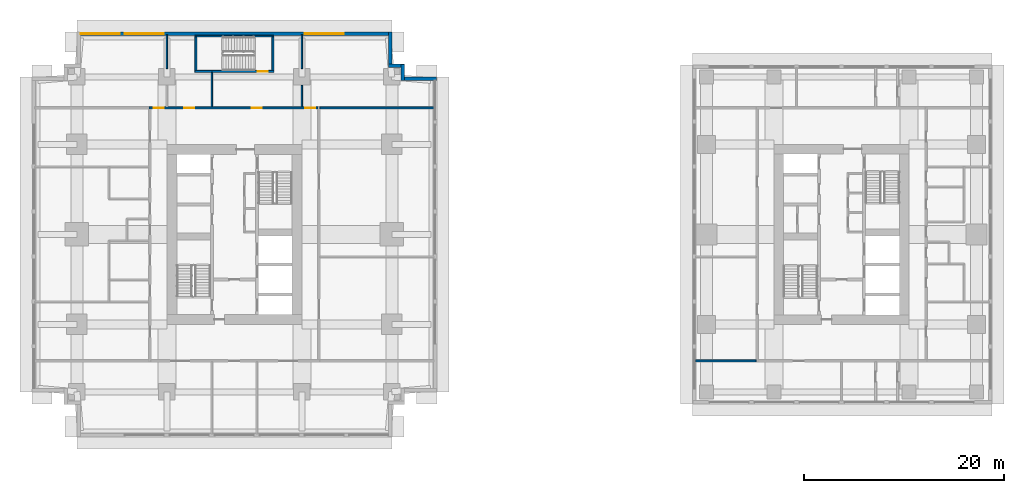
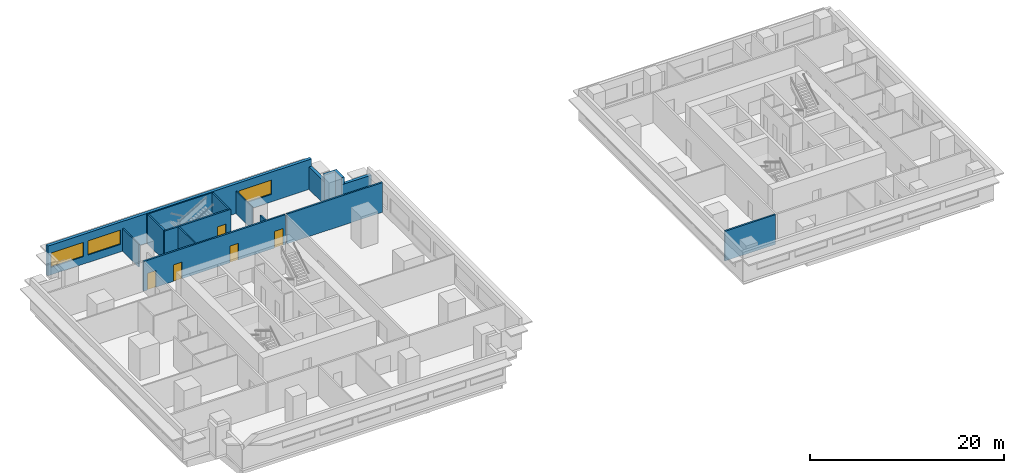
# One storey, part 5 of 11: 16 walls, 5 doors, 3 windows, 8 openings.
"""IFC4 building model written with IfcOpenShell, lengths in metres."""

from ifc_helpers import new_model, si_unit, direction, frame, frame_2d, origin, place, context, subcontext, project, spatial, rectangle, extrude, material, layer, layer_set, type_object, element, fill, save


model = new_model("IFC4")

# Units and contexts
model_context = context("Model", 3, precision=1e-05, world=origin(), true_north=direction((0.0, 1.0)))
body_context = subcontext(model_context, "Body", "Model", "MODEL_VIEW")
ifc_project = project(units=[si_unit("LENGTHUNIT", "METRE"), si_unit("AREAUNIT", "SQUARE_METRE"), si_unit("VOLUMEUNIT", "CUBIC_METRE"), si_unit("PLANEANGLEUNIT", "RADIAN"), si_unit("MASSUNIT", "GRAM", prefix="KILO")], contexts=[model_context])

# Site, building, storey
site_placement = place(None, origin())
site = spatial("IfcSite", under=ifc_project, at=site_placement, CompositionType="ELEMENT")
building_placement = place(site_placement, origin())
building = spatial("IfcBuilding", under=site, at=building_placement, Name="Namib Vertical Campus", CompositionType="ELEMENT")
storey_placement = place(building_placement, frame((0.0, 0.0, 197.0)))
storey = spatial("IfcBuildingStorey", under=building, at=storey_placement, Name="L46", CompositionType="ELEMENT", Elevation=197.0)

# Wall, openings, doors
ifc_material_1 = material(Name="Concrete masonry", Category="masonry")
ifc_layer_1 = layer(ifc_material_1, 0.199951171875)
ifc_layer_set_1 = layer_set([ifc_layer_1], Name="Corridor wall 200")
wall_type_1 = type_object("IfcWallType", Name="Corridor wall 200", PredefinedType="SOLIDWALL", material=ifc_layer_set_1)
wall_1_placement = place(storey_placement, frame((28.60009765625, 32.89990234375, 0.0), z_axis=(0.0, 0.0, 1.0), x_axis=(-1.0, 0.0, 0.0)))
wall_1 = element("IfcWall", 1, at=wall_1_placement, inside=storey, type_object=wall_type_1, Name="Corridor wall A L46 CN", PredefinedType="SOLIDWALL", context=body_context, shape_type="SweptSolid", body=[
    extrude(rectangle(XDim=16.900146484375, YDim=0.199951171875, at=frame_2d((8.4501953125, 0.0))), origin(), (0.0, 0.0, 1.0), 3.75),
])
opening_1_placement = place(wall_1_placement, frame((15.425048828125, 0.0, 0.0)))
opening_1 = element("IfcOpeningElement", 2, at=opening_1_placement, cuts=wall_1, Name="Opening CD1", PredefinedType="OPENING", context=body_context, shape_type="SweptSolid", body=[
    extrude(rectangle(XDim=1.0, YDim=2.10009765625, at=frame_2d((0.5, 1.050048828125))), frame((0.0, 0.10986328125, 0.0), z_axis=(0.0, -1.0, 0.0), x_axis=(1.0, 0.0, 0.0)), (0.0, 0.0, 1.0), 0.219970703125),
])
opening_2_placement = place(wall_1_placement, frame((12.35009765625, 0.0, 0.0)))
opening_2 = element("IfcOpeningElement", 3, at=opening_2_placement, cuts=wall_1, Name="Opening CD1", PredefinedType="OPENING", context=body_context, shape_type="SweptSolid", body=[
    extrude(rectangle(XDim=1.0, YDim=2.10009765625, at=frame_2d((0.5, 1.050048828125))), frame((0.0, 0.10986328125, 0.0), z_axis=(0.0, -1.0, 0.0), x_axis=(1.0, 0.0, 0.0)), (0.0, 0.0, 1.0), 0.219970703125),
])
opening_3_placement = place(wall_1_placement, frame((5.60009765625, 0.0, 0.0)))
opening_3 = element("IfcOpeningElement", 4, at=opening_3_placement, cuts=wall_1, Name="Opening CD1", PredefinedType="OPENING", context=body_context, shape_type="SweptSolid", body=[
    extrude(rectangle(XDim=1.0, YDim=2.10009765625, at=frame_2d((0.5, 1.050048828125))), frame((0.0, 0.10986328125, 0.0), z_axis=(0.0, -1.0, 0.0), x_axis=(1.0, 0.0, 0.0)), (0.0, 0.0, 1.0), 0.219970703125),
])
opening_4_placement = place(wall_1_placement, frame((0.27490234375, 0.0, 0.0)))
opening_4 = element("IfcOpeningElement", 5, at=opening_4_placement, cuts=wall_1, Name="Opening CD1", PredefinedType="OPENING", context=body_context, shape_type="SweptSolid", body=[
    extrude(rectangle(XDim=1.0, YDim=2.10009765625, at=frame_2d((0.5, 1.050048828125))), frame((0.0, 0.10986328125, 0.0), z_axis=(0.0, -1.0, 0.0), x_axis=(1.0, 0.0, 0.0)), (0.0, 0.0, 1.0), 0.219970703125),
])
ifc_material_2 = material(Name="Timber fire door leaf", Category="wood")
door_type_1 = type_object("IfcDoorType", Name="Corridor door 1000x2100 20 min", OperationType="SINGLE_SWING_LEFT", PredefinedType="DOOR", material=ifc_material_2)
door_1_placement = place(opening_1_placement, frame((1.0, 0.0, 0.0), z_axis=(0.0, 0.0, 1.0), x_axis=(-1.0, 0.0, 0.0)))
door_1 = element("IfcDoor", 6, at=door_1_placement, inside=storey, type_object=door_type_1, Name="Door CD1 A46-06", OperationType="SINGLE_SWING_RIGHT", OverallHeight=2.10009765625, OverallWidth=1.0, PredefinedType="DOOR", context=body_context, shape_type="SweptSolid", body=[
    extrude(rectangle(XDim=1.0, YDim=2.10009765625, at=frame_2d((0.5, 1.050048828125))), frame((0.0, 0.02490234375, 0.0), z_axis=(0.0, -1.0, 0.0), x_axis=(1.0, 0.0, 0.0)), (0.0, 0.0, 1.0), 0.050048828125),
])
fill(opening_1, door_1)
door_2_placement = place(opening_2_placement, frame((1.0, 0.0, 0.0), z_axis=(0.0, 0.0, 1.0), x_axis=(-1.0, 0.0, 0.0)))
door_2 = element("IfcDoor", 7, at=door_2_placement, inside=storey, type_object=door_type_1, Name="Door CD1 A46-07", OperationType="SINGLE_SWING_RIGHT", OverallHeight=2.10009765625, OverallWidth=1.0, PredefinedType="DOOR", context=body_context, shape_type="SweptSolid", body=[
    extrude(rectangle(XDim=1.0, YDim=2.10009765625, at=frame_2d((0.5, 1.050048828125))), frame((0.0, 0.02490234375, 0.0), z_axis=(0.0, -1.0, 0.0), x_axis=(1.0, 0.0, 0.0)), (0.0, 0.0, 1.0), 0.050048828125),
])
fill(opening_2, door_2)
door_3_placement = place(opening_3_placement, frame((1.0, 0.0, 0.0), z_axis=(0.0, 0.0, 1.0), x_axis=(-1.0, 0.0, 0.0)))
door_3 = element("IfcDoor", 8, at=door_3_placement, inside=storey, type_object=door_type_1, Name="Door CD1 A46-08", OperationType="SINGLE_SWING_RIGHT", OverallHeight=2.10009765625, OverallWidth=1.0, PredefinedType="DOOR", context=body_context, shape_type="SweptSolid", body=[
    extrude(rectangle(XDim=1.0, YDim=2.10009765625, at=frame_2d((0.5, 1.050048828125))), frame((0.0, 0.02490234375, 0.0), z_axis=(0.0, -1.0, 0.0), x_axis=(1.0, 0.0, 0.0)), (0.0, 0.0, 1.0), 0.050048828125),
])
fill(opening_3, door_3)
door_4_placement = place(opening_4_placement, frame((1.0, 0.0, 0.0), z_axis=(0.0, 0.0, 1.0), x_axis=(-1.0, 0.0, 0.0)))
door_4 = element("IfcDoor", 9, at=door_4_placement, inside=storey, type_object=door_type_1, Name="Door CD1 A46-09", OperationType="SINGLE_SWING_LEFT", OverallHeight=2.10009765625, OverallWidth=1.0, PredefinedType="DOOR", context=body_context, shape_type="SweptSolid", body=[
    extrude(rectangle(XDim=1.0, YDim=2.10009765625, at=frame_2d((0.5, 1.050048828125))), frame((0.0, 0.02490234375, 0.0), z_axis=(0.0, -1.0, 0.0), x_axis=(1.0, 0.0, 0.0)), (0.0, 0.0, 1.0), 0.050048828125),
])
fill(opening_4, door_4)

# Walls
wall_2_placement = place(storey_placement, frame((28.800048828125, 32.89990234375, 0.0), z_axis=(0.0, 0.0, 1.0), x_axis=(1.0, 0.0, 0.0)))
element("IfcWall", 10, at=wall_2_placement, inside=storey, type_object=wall_type_1, Name="Partition A L46 BNE", PredefinedType="SOLIDWALL", context=body_context, shape_type="SweptSolid", body=[
    extrude(rectangle(XDim=11.39990234375, YDim=0.199951171875, at=frame_2d((5.699951171875, 0.0))), origin(), (0.0, 0.0, 1.0), 3.75),
])
wall_3_placement = place(storey_placement, frame((66.39990234375, 7.60009765625, 0.0), z_axis=(0.0, 0.0, 1.0), x_axis=(1.0, 0.0, 0.0)))
element("IfcWall", 11, at=wall_3_placement, inside=storey, type_object=wall_type_1, Name="Partition B L46 BSW", PredefinedType="SOLIDWALL", context=body_context, shape_type="SweptSolid", body=[
    extrude(rectangle(XDim=6.050048828125, YDim=0.199951171875, at=frame_2d((3.02490234375, 0.0))), origin(), (0.0, 0.0, 1.0), 3.75),
])
ifc_material_3 = material(Name="Concrete C40/50", Category="concrete")
ifc_layer_2 = layer(ifc_material_3, 0.35009765625)
ifc_layer_set_2 = layer_set([ifc_layer_2], Name="Concrete C40/50")
wall_type_2 = type_object("IfcWallType", Name="External wall 350 bush-hammered concrete", PredefinedType="STANDARD", material=ifc_layer_set_2)
wall_4_placement = place(storey_placement, frame((40.47998046875, 35.824951171875, 0.0), z_axis=(0.0, 0.0, 1.0), x_axis=(-1.0, 0.0, 0.0)))
element("IfcWall", 12, at=wall_4_placement, inside=storey, type_object=wall_type_2, Name="External wall L46 F07", PredefinedType="STANDARD", context=body_context, shape_type="SweptSolid", body=[
    extrude(rectangle(XDim=3.534912109375, YDim=0.35009765625, at=frame_2d((1.767578125, 0.0))), origin(), (0.0, 0.0, 1.0), 2.85009765625),
])
for number, where, z_axis, x_axis, name in (
    (13, (37.10009765625, 35.669921875, 0.0), (0.0, 0.0, 1.0), (0.0, 1.0, 0.0), "External wall L46 F08"),
    (14, (37.2548828125, 37.10009765625, 0.0), (0.0, 0.0, 1.0), (-1.0, 0.0, 0.0), "External wall L46 F09"),
):
    element("IfcWall", number, at=place(storey_placement, frame(where, z_axis=z_axis, x_axis=x_axis)), inside=storey, type_object=wall_type_2, Name=name, PredefinedType="STANDARD", context=body_context, shape_type="SweptSolid", body=[
        extrude(rectangle(XDim=1.5849609375, YDim=0.35009765625, at=frame_2d((0.79248046875, 0.0))), origin(), (0.0, 0.0, 1.0), 3.75),
    ])
wall_5_placement = place(storey_placement, frame((35.824951171875, 36.945068359375, 0.0), z_axis=(0.0, 0.0, 1.0), x_axis=(0.0, 1.0, 0.0)))
element("IfcWall", 15, at=wall_5_placement, inside=storey, type_object=wall_type_2, Name="External wall L46 F10", PredefinedType="STANDARD", context=body_context, shape_type="SweptSolid", body=[
    extrude(rectangle(XDim=3.534912109375, YDim=0.35009765625, at=frame_2d((1.767578125, 0.0))), origin(), (0.0, 0.0, 1.0), 2.85009765625),
])

# Wall, openings, windows
wall_6_placement = place(storey_placement, frame((35.97998046875, 40.324951171875, 0.0), z_axis=(0.0, 0.0, 1.0), x_axis=(-1.0, 0.0, 0.0)))
wall_6 = element("IfcWall", 16, at=wall_6_placement, inside=storey, type_object=wall_type_2, Name="External wall L46 F11", PredefinedType="STANDARD", context=body_context, shape_type="SweptSolid", body=[
    extrude(rectangle(XDim=31.4599609375, YDim=0.35009765625, at=frame_2d((15.72998046875, 0.0))), origin(), (0.0, 0.0, 1.0), 3.75),
])
opening_5_placement = place(wall_6_placement, frame((27.2099609375, 0.0, 0.949951171875)))
opening_5 = element("IfcOpeningElement", 17, at=opening_5_placement, cuts=wall_6, Name="Opening W3", PredefinedType="OPENING", context=body_context, shape_type="SweptSolid", body=[
    extrude(rectangle(XDim=3.89990234375, YDim=1.800048828125, at=frame_2d((1.949951171875, 0.89990234375))), frame((0.0, 0.18505859375, 0.0), z_axis=(0.0, -1.0, 0.0), x_axis=(1.0, 0.0, 0.0)), (0.0, 0.0, 1.0), 0.3701171875),
])
opening_6_placement = place(wall_6_placement, frame((22.780029296875, 0.0, 0.949951171875)))
opening_6 = element("IfcOpeningElement", 18, at=opening_6_placement, cuts=wall_6, Name="Opening W3", PredefinedType="OPENING", context=body_context, shape_type="SweptSolid", body=[
    extrude(rectangle(XDim=3.89990234375, YDim=1.800048828125, at=frame_2d((1.949951171875, 0.89990234375))), frame((0.0, 0.18505859375, 0.0), z_axis=(0.0, -1.0, 0.0), x_axis=(1.0, 0.0, 0.0)), (0.0, 0.0, 1.0), 0.3701171875),
])
opening_7_placement = place(wall_6_placement, frame((4.780029296875, 0.0, 0.949951171875)))
opening_7 = element("IfcOpeningElement", 19, at=opening_7_placement, cuts=wall_6, Name="Opening W3", PredefinedType="OPENING", context=body_context, shape_type="SweptSolid", body=[
    extrude(rectangle(XDim=3.89990234375, YDim=1.800048828125, at=frame_2d((1.949951171875, 0.89990234375))), frame((0.0, 0.18505859375, 0.0), z_axis=(0.0, -1.0, 0.0), x_axis=(1.0, 0.0, 0.0)), (0.0, 0.0, 1.0), 0.3701171875),
])
ifc_material_4 = material(Name="Dark tinted glass in black aluminium frame", Category="aluminium")
window_type = type_object("IfcWindowType", Name="Ribbon window 3900x1800", PartitioningType="SINGLE_PANEL", PredefinedType="WINDOW", material=ifc_material_4)
window_1_placement = place(opening_5_placement, origin())
window_1 = element("IfcWindow", 20, at=window_1_placement, inside=storey, type_object=window_type, Name="Window W3 L46 F11-1", OverallHeight=1.800048828125, OverallWidth=3.89990234375, PartitioningType="SINGLE_PANEL", PredefinedType="WINDOW", context=body_context, shape_type="SweptSolid", body=[
    extrude(rectangle(XDim=3.89990234375, YDim=1.800048828125, at=frame_2d((1.949951171875, 0.89990234375))), frame((0.0, 0.030029296875, 0.0), z_axis=(0.0, -1.0, 0.0), x_axis=(1.0, 0.0, 0.0)), (0.0, 0.0, 1.0), 0.06005859375),
])
fill(opening_5, window_1)
window_2_placement = place(opening_6_placement, origin())
window_2 = element("IfcWindow", 21, at=window_2_placement, inside=storey, type_object=window_type, Name="Window W3 L46 F11-2", OverallHeight=1.800048828125, OverallWidth=3.89990234375, PartitioningType="SINGLE_PANEL", PredefinedType="WINDOW", context=body_context, shape_type="SweptSolid", body=[
    extrude(rectangle(XDim=3.89990234375, YDim=1.800048828125, at=frame_2d((1.949951171875, 0.89990234375))), frame((0.0, 0.030029296875, 0.0), z_axis=(0.0, -1.0, 0.0), x_axis=(1.0, 0.0, 0.0)), (0.0, 0.0, 1.0), 0.06005859375),
])
fill(opening_6, window_2)
window_3_placement = place(opening_7_placement, origin())
window_3 = element("IfcWindow", 22, at=window_3_placement, inside=storey, type_object=window_type, Name="Window W3 L46 F11-6", OverallHeight=1.800048828125, OverallWidth=3.89990234375, PartitioningType="SINGLE_PANEL", PredefinedType="WINDOW", context=body_context, shape_type="SweptSolid", body=[
    extrude(rectangle(XDim=3.89990234375, YDim=1.800048828125, at=frame_2d((1.949951171875, 0.89990234375))), frame((0.0, 0.030029296875, 0.0), z_axis=(0.0, -1.0, 0.0), x_axis=(1.0, 0.0, 0.0)), (0.0, 0.0, 1.0), 0.06005859375),
])
fill(opening_7, window_3)

# Walls
ifc_material_5 = material(Name="Gypsum board on steel studs", Category="steel")
ifc_layer_3 = layer(ifc_material_5, 0.14990234375)
ifc_layer_set_3 = layer_set([ifc_layer_3], Name="Gypsum board on steel studs")
wall_type_3 = type_object("IfcWallType", Name="Partition 150", PredefinedType="PARTITIONING", material=ifc_layer_set_3)
wall_7_placement = place(storey_placement, frame((13.5, 36.844970703125, 0.0), z_axis=(0.0, 0.0, 1.0), x_axis=(0.0, 1.0, 0.0)))
element("IfcWall", 23, at=wall_7_placement, inside=storey, type_object=wall_type_3, Name="Partition A L46 PN1", PredefinedType="PARTITIONING", context=body_context, shape_type="SweptSolid", body=[
    extrude(rectangle(XDim=3.35498046875, YDim=0.14990234375, at=frame_2d((1.677490234375, 0.0))), origin(), (0.0, 0.0, 1.0), 2.85009765625),
])
wall_8_placement = place(storey_placement, frame((18.0, 33.0, 0.0), z_axis=(0.0, 0.0, 1.0), x_axis=(0.0, 1.0, 0.0)))
element("IfcWall", 24, at=wall_8_placement, inside=storey, type_object=wall_type_3, Name="Partition A L46 PN2", PredefinedType="PARTITIONING", context=body_context, shape_type="SweptSolid", body=[
    extrude(rectangle(XDim=3.449951171875, YDim=0.14990234375, at=frame_2d((1.72509765625, 0.0))), origin(), (0.0, 0.0, 1.0), 3.75),
])
wall_9_placement = place(storey_placement, frame((27.0, 33.0, 0.0), z_axis=(0.0, 0.0, 1.0), x_axis=(0.0, 1.0, 0.0)))
element("IfcWall", 25, at=wall_9_placement, inside=storey, type_object=wall_type_3, Name="Partition A L46 PN3", PredefinedType="PARTITIONING", context=body_context, shape_type="SweptSolid", body=[
    extrude(rectangle(XDim=2.155029296875, YDim=0.14990234375, at=frame_2d((1.07763671875, 0.0))), origin(), (0.0, 0.0, 1.0), 2.85009765625),
])
wall_10_placement = place(storey_placement, frame((27.0, 36.844970703125, 0.0), z_axis=(0.0, 0.0, 1.0), x_axis=(0.0, 1.0, 0.0)))
element("IfcWall", 26, at=wall_10_placement, inside=storey, type_object=wall_type_3, Name="Partition A L46 PN3", PredefinedType="PARTITIONING", context=body_context, shape_type="SweptSolid", body=[
    extrude(rectangle(XDim=3.35498046875, YDim=0.14990234375, at=frame_2d((1.677490234375, 0.0))), origin(), (0.0, 0.0, 1.0), 2.85009765625),
])
ifc_material_6 = material(Name="Concrete C40/50", Category="concrete")
ifc_layer_4 = layer(ifc_material_6, 0.14990234375)
ifc_layer_set_4 = layer_set([ifc_layer_4], Name="Concrete C40/50")
wall_type_4 = type_object("IfcWallType", Name="Stair enclosure wall RC 150", PredefinedType="SOLIDWALL", material=ifc_layer_set_4)
wall_11_placement = place(storey_placement, frame((16.300048828125, 40.074951171875, 0.0), z_axis=(0.0, 0.0, 1.0), x_axis=(1.0, 0.0, 0.0)))
element("IfcWall", 27, at=wall_11_placement, inside=storey, type_object=wall_type_4, Name="Stair enclosure wall A-S3 L46 N", PredefinedType="SOLIDWALL", context=body_context, shape_type="SweptSolid", body=[
    extrude(rectangle(XDim=7.89990234375, YDim=0.14990234375, at=frame_2d((3.949951171875, 0.0))), origin(), (0.0, 0.0, 1.0), 3.75),
])

# Wall, opening, door
ifc_material_7 = material(Name="Concrete C40/50", Category="concrete")
ifc_layer_5 = layer(ifc_material_7, 0.199951171875)
ifc_layer_set_5 = layer_set([ifc_layer_5], Name="Concrete C40/50")
wall_type_5 = type_object("IfcWallType", Name="Stair enclosure wall RC 200", PredefinedType="SOLIDWALL", material=ifc_layer_set_5)
wall_12_placement = place(storey_placement, frame((16.300048828125, 36.550048828125, 0.0), z_axis=(0.0, 0.0, 1.0), x_axis=(1.0, 0.0, 0.0)))
wall_12 = element("IfcWall", 28, at=wall_12_placement, inside=storey, type_object=wall_type_5, Name="Stair enclosure wall A-S3 L46 S", PredefinedType="SOLIDWALL", context=body_context, shape_type="SweptSolid", body=[
    extrude(rectangle(XDim=7.89990234375, YDim=0.199951171875, at=frame_2d((3.949951171875, 0.0))), origin(), (0.0, 0.0, 1.0), 3.75),
])
opening_8_placement = place(wall_12_placement, frame((6.300048828125, 0.0, 0.0)))
opening_8 = element("IfcOpeningElement", 29, at=opening_8_placement, cuts=wall_12, Name="Opening FD1", PredefinedType="OPENING", context=body_context, shape_type="SweptSolid", body=[
    extrude(rectangle(XDim=1.0, YDim=2.10009765625, at=frame_2d((0.5, 1.050048828125))), frame((0.0, 0.10986328125, 0.0), z_axis=(0.0, -1.0, 0.0), x_axis=(1.0, 0.0, 0.0)), (0.0, 0.0, 1.0), 0.219970703125),
])
ifc_material_8 = material(Name="Steel fire door", Category="steel")
door_type_2 = type_object("IfcDoorType", Name="Fire door 1000x2100", OperationType="SINGLE_SWING_RIGHT", PredefinedType="DOOR", material=ifc_material_8)
door_5_placement = place(opening_8_placement, origin())
door_5 = element("IfcDoor", 30, at=door_5_placement, inside=storey, type_object=door_type_2, Name="Stair door FD1 A L46 S3", OperationType="SINGLE_SWING_RIGHT", OverallHeight=2.10009765625, OverallWidth=1.0, PredefinedType="DOOR", context=body_context, shape_type="SweptSolid", body=[
    extrude(rectangle(XDim=1.0, YDim=2.10009765625, at=frame_2d((0.5, 1.050048828125))), frame((0.0, 0.02490234375, 0.0), z_axis=(0.0, -1.0, 0.0), x_axis=(1.0, 0.0, 0.0)), (0.0, 0.0, 1.0), 0.050048828125),
])
fill(opening_8, door_5)

# Walls
for number, where, z_axis, x_axis, name in (
    (31, (16.39990234375, 36.64990234375, 0.0), (0.0, 0.0, 1.0), (0.0, 1.0, 0.0), "Stair enclosure wall A-S3 L46 W"),
    (32, (24.10009765625, 36.64990234375, 0.0), (0.0, 0.0, 1.0), (0.0, 1.0, 0.0), "Stair enclosure wall A-S3 L46 E"),
):
    element("IfcWall", number, at=place(storey_placement, frame(where, z_axis=z_axis, x_axis=x_axis)), inside=storey, type_object=wall_type_5, Name=name, PredefinedType="SOLIDWALL", context=body_context, shape_type="SweptSolid", body=[
        extrude(rectangle(XDim=3.35009765625, YDim=0.199951171875, at=frame_2d((1.675048828125, 0.0))), origin(), (0.0, 0.0, 1.0), 3.75),
    ])

save(model, "model.ifc")
